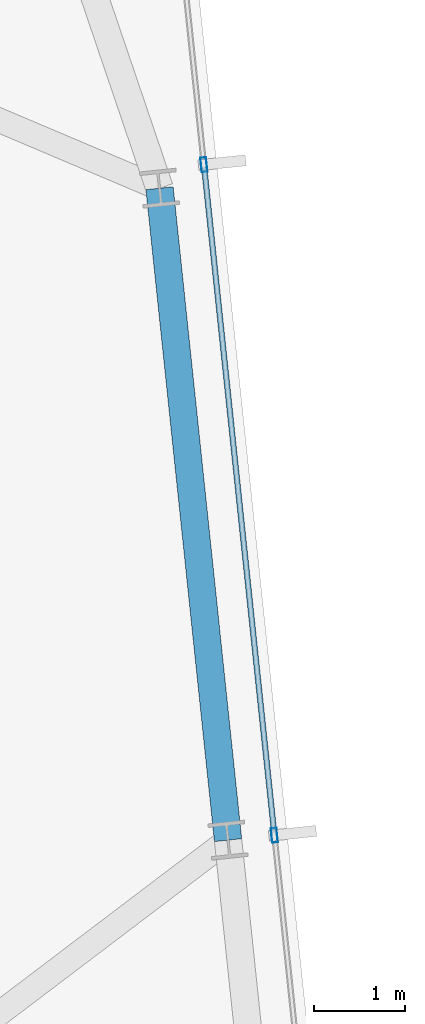
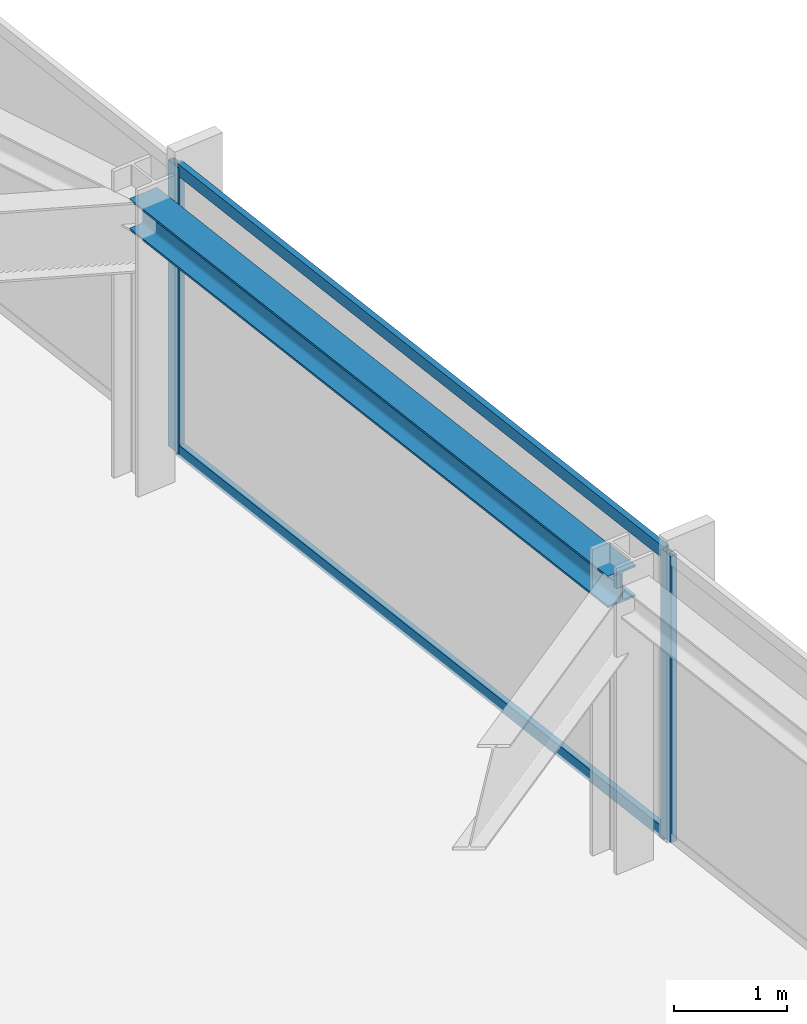
# One storey, part 19 of 33: 4 members, 1 beam, 1 element without a shape of its own.
"""IFC4 building model written with IfcOpenShell, lengths in metres."""

from ifc_helpers import new_model, si_unit, direction, frame, origin, origin_2d, place, context, subcontext, project, spatial, hollow_rectangle, i_section, extrude, material, material_profile, profile_set, type_object, element, aggregate, save


model = new_model("IFC4")

# Units and contexts
model_context = context("Model", 3, precision=1e-05, world=origin(), true_north=direction((0.0, 1.0)))
body_context = subcontext(model_context, "Body", "Model", "MODEL_VIEW")
ifc_project = project(units=[si_unit("LENGTHUNIT", "METRE"), si_unit("AREAUNIT", "SQUARE_METRE"), si_unit("VOLUMEUNIT", "CUBIC_METRE"), si_unit("PLANEANGLEUNIT", "RADIAN"), si_unit("MASSUNIT", "GRAM", prefix="KILO")], contexts=[model_context])

# Site, building, storey
site_placement = place(None, origin())
site = spatial("IfcSite", under=ifc_project, at=site_placement, CompositionType="ELEMENT")
building_placement = place(site_placement, origin())
building = spatial("IfcBuilding", under=site, at=building_placement, Name="Yelkora Congress Tower", CompositionType="ELEMENT")
storey_placement = place(building_placement, frame((0.0, 0.0, 240.800048828125)))
storey = spatial("IfcBuildingStorey", under=building, at=storey_placement, Name="L67", CompositionType="ELEMENT", Elevation=240.800048828125)

# Beam
ifc_material_1 = material(Name="Steel S355J2", Category="steel")
ifc_material_profile_1 = material_profile(ifc_material_1, i_section(OverallWidth=0.300048828125, OverallDepth=0.340087890625, WebThickness=0.011962890625, FlangeThickness=0.021484375, FilletRadius=0.027099609375, at=origin_2d()), Name="HEB 340")
ifc_profile_set_1 = profile_set([ifc_material_profile_1], Name="Steel S355J2")
beam_type = type_object("IfcBeamType", Name="BM-SPAN-HEB340", PredefinedType="SPANDREL", material=ifc_profile_set_1)
beam_placement = place(storey_placement, frame((69.60400390625, 34.296142578125, 2.909912109375), z_axis=(-0.104528914631, 0.994521847928, 0.0), x_axis=(-0.994521847928, -0.104528914631, 0.0)))
element("IfcBeam", 1, at=beam_placement, inside=storey, type_object=beam_type, Name="L67 Perimeter Beam 11", PredefinedType="SPANDREL", context=body_context, shape_type="SweptSolid", body=[
    extrude(i_section(OverallWidth=0.300048828125, OverallDepth=0.340087890625, WebThickness=0.011962890625, FlangeThickness=0.021484375, FilletRadius=0.027099609375, at=origin_2d()), origin(), (0.0, 0.0, 1.0), 7.175048828125),
])

# Curtain wall, members
ifc_material_2 = material(Name="Anodised aluminium and insulated glass", Category="aluminium")
curtain_wall_type = type_object("IfcCurtainWallType", Name="CW-SYS-B4", PredefinedType="NOTDEFINED", material=ifc_material_2)
curtain_wall_placement = place(storey_placement, origin())
curtain_wall = element("IfcCurtainWall", 2, at=curtain_wall_placement, inside=storey, type_object=curtain_wall_type, Name="L67 Unitised Curtain Wall 15", PredefinedType="NOTDEFINED")
ifc_material_3 = material(Name="Anodised aluminium 6063-T6", Category="aluminium")
ifc_material_profile_2 = material_profile(ifc_material_3, hollow_rectangle(XDim=0.06494140625, YDim=0.159912109375, WallThickness=0.00390625, at=origin_2d()), Name="ALU 65x160x4")
ifc_profile_set_2 = profile_set([ifc_material_profile_2], Name="Anodised aluminium 6063-T6")
member_type_1 = type_object("IfcMemberType", Name="MEM-ML-B4", PredefinedType="MULLION", material=ifc_profile_set_2)
member_1_placement = place(storey_placement, frame((69.33984375, 41.68896484375, 0.0), z_axis=(0.0, 0.0, 1.0), x_axis=(0.994522182968, 0.104525726898, 0.0)))
member_1 = element("IfcMember", 3, at=member_1_placement, type_object=member_type_1, Name="CW-B4 mullion 2", PredefinedType="MULLION", context=body_context, shape_type="SweptSolid", body=[
    extrude(hollow_rectangle(XDim=0.06494140625, YDim=0.159912109375, WallThickness=0.00390625, at=origin_2d()), origin(), (0.0, 0.0, 1.0), 3.079833984375),
])
member_2_placement = place(storey_placement, frame((70.111083984375, 34.349365234375, 0.0), z_axis=(0.0, 0.0, 1.0), x_axis=(0.994522182968, 0.104525726898, 0.0)))
member_2 = element("IfcMember", 4, at=member_2_placement, type_object=member_type_1, Name="CW-B4 mullion 3", PredefinedType="MULLION", context=body_context, shape_type="SweptSolid", body=[
    extrude(hollow_rectangle(XDim=0.06494140625, YDim=0.159912109375, WallThickness=0.00390625, at=origin_2d()), origin(), (0.0, 0.0, 1.0), 3.079833984375),
])
ifc_material_profile_3 = material_profile(ifc_material_3, hollow_rectangle(XDim=0.06005859375, YDim=0.1298828125, WallThickness=0.00390625, at=origin_2d()), Name="ALU 60x130x4")
ifc_profile_set_3 = profile_set([ifc_material_profile_3], Name="Anodised aluminium 6063-T6")
member_type_2 = type_object("IfcMemberType", Name="MEM-TR-B4", PredefinedType="USERDEFINED", material=ifc_profile_set_3)
member_3_placement = place(storey_placement, frame((69.34326171875, 41.65673828125, 0.030029296875), z_axis=(0.104531896307, -0.994521534535, 0.0), x_axis=(0.994521534535, 0.104531896307, 0.0)))
member_3 = element("IfcMember", 5, at=member_3_placement, type_object=member_type_2, Name="CW-B4 transom 2.1", ObjectType="TRANSOM", PredefinedType="USERDEFINED", context=body_context, shape_type="SweptSolid", body=[
    extrude(hollow_rectangle(XDim=0.06005859375, YDim=0.1298828125, WallThickness=0.00390625, at=origin_2d()), origin(), (0.0, 0.0, 1.0), 7.31494140625),
])
member_4_placement = place(storey_placement, frame((69.34326171875, 41.65673828125, 3.050048828125), z_axis=(0.104531896307, -0.994521534535, 0.0), x_axis=(0.994521534535, 0.104531896307, 0.0)))
member_4 = element("IfcMember", 6, at=member_4_placement, type_object=member_type_2, Name="CW-B4 transom 2.2", ObjectType="TRANSOM", PredefinedType="USERDEFINED", context=body_context, shape_type="SweptSolid", body=[
    extrude(hollow_rectangle(XDim=0.06005859375, YDim=0.1298828125, WallThickness=0.00390625, at=origin_2d()), origin(), (0.0, 0.0, 1.0), 7.31494140625),
])
aggregate(curtain_wall, [member_1, member_2, member_3, member_4])

save(model, "model.ifc")
